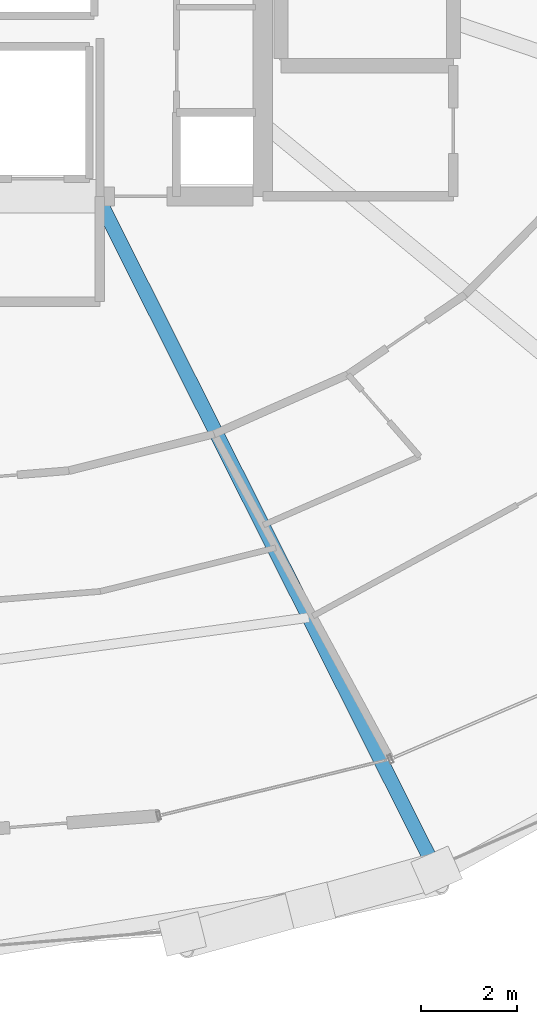
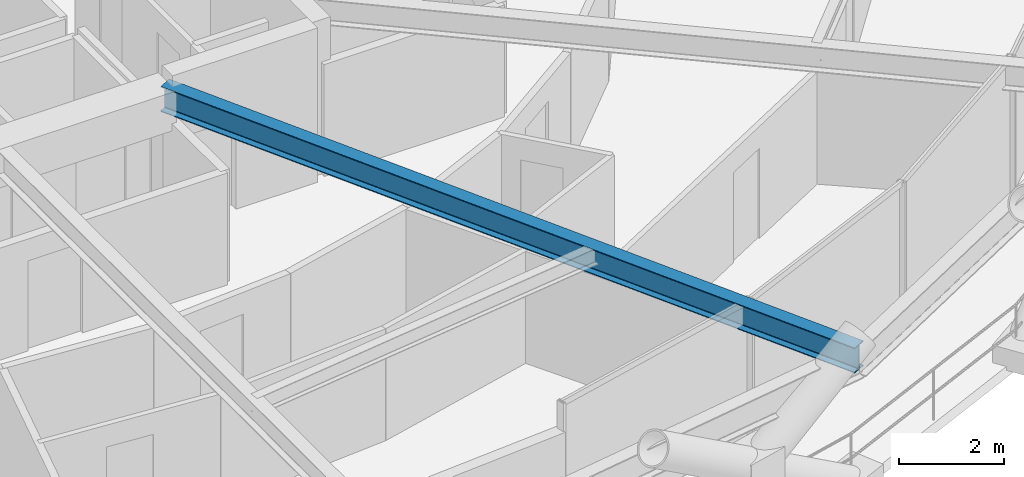
# One storey, part 8 of 20: 1 beam.
"""IFC4 building model written with IfcOpenShell, lengths in metres."""

from ifc_helpers import new_model, si_unit, direction, frame, origin, origin_2d, place, context, subcontext, project, spatial, i_section, extrude, material, material_profile, profile_set, type_object, element, save


model = new_model("IFC4")

# Units and contexts
model_context = context("Model", 3, precision=1e-05, world=origin(), true_north=direction((0.0, 1.0)))
body_context = subcontext(model_context, "Body", "Model", "MODEL_VIEW")
ifc_project = project(units=[si_unit("LENGTHUNIT", "METRE"), si_unit("AREAUNIT", "SQUARE_METRE"), si_unit("VOLUMEUNIT", "CUBIC_METRE"), si_unit("PLANEANGLEUNIT", "RADIAN"), si_unit("MASSUNIT", "GRAM", prefix="KILO")], contexts=[model_context])

# Site, building, storey
site_placement = place(None, origin())
site = spatial("IfcSite", under=ifc_project, at=site_placement, CompositionType="ELEMENT")
building_placement = place(site_placement, origin())
building = spatial("IfcBuilding", under=site, at=building_placement, Name="Veldorina Hangang Commons", CompositionType="ELEMENT")
storey_placement = place(building_placement, frame((0.0, 0.0, 48.39990234375)))
storey = spatial("IfcBuildingStorey", under=building, at=storey_placement, Name="L11", CompositionType="ELEMENT", Elevation=48.39990234375)

# Beam
ifc_material = material(Name="Steel SM460-TMC", Category="steel")
ifc_material_profile = material_profile(ifc_material, i_section(OverallWidth=0.300048828125, OverallDepth=0.587890625, WebThickness=0.011962890625, FlangeThickness=0.02001953125, FilletRadius=0.01806640625, at=origin_2d()), Name="H-588x300x12x20")
ifc_profile_set = profile_set([ifc_material_profile], Name="Steel SM460-TMC")
beam_type = type_object("IfcBeamType", Name="BM-FG588", PredefinedType="BEAM", material=ifc_profile_set)
beam_placement = place(storey_placement, frame((35.744873046875, 16.550048828125, 3.046142578125), z_axis=(0.449126234863, -0.893468312341, 0.0), x_axis=(0.893468312341, 0.449126234863, 0.0)))
element("IfcBeam", 1, at=beam_placement, inside=storey, type_object=beam_type, Name="L11 radial floor girder 14", PredefinedType="BEAM", context=body_context, shape_type="SweptSolid", body=[
    extrude(i_section(OverallWidth=0.300048828125, OverallDepth=0.587890625, WebThickness=0.011962890625, FlangeThickness=0.02001953125, FilletRadius=0.01806640625, at=origin_2d()), origin(), (0.0, 0.0, 1.0), 15.87060546875),
])

save(model, "model.ifc")
